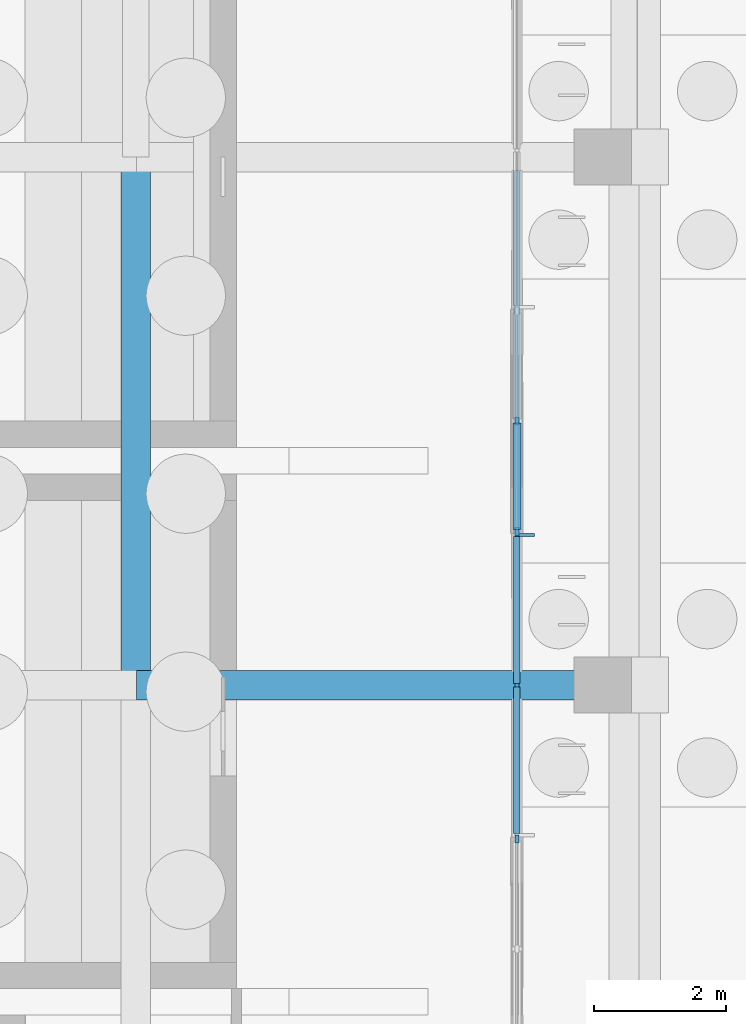
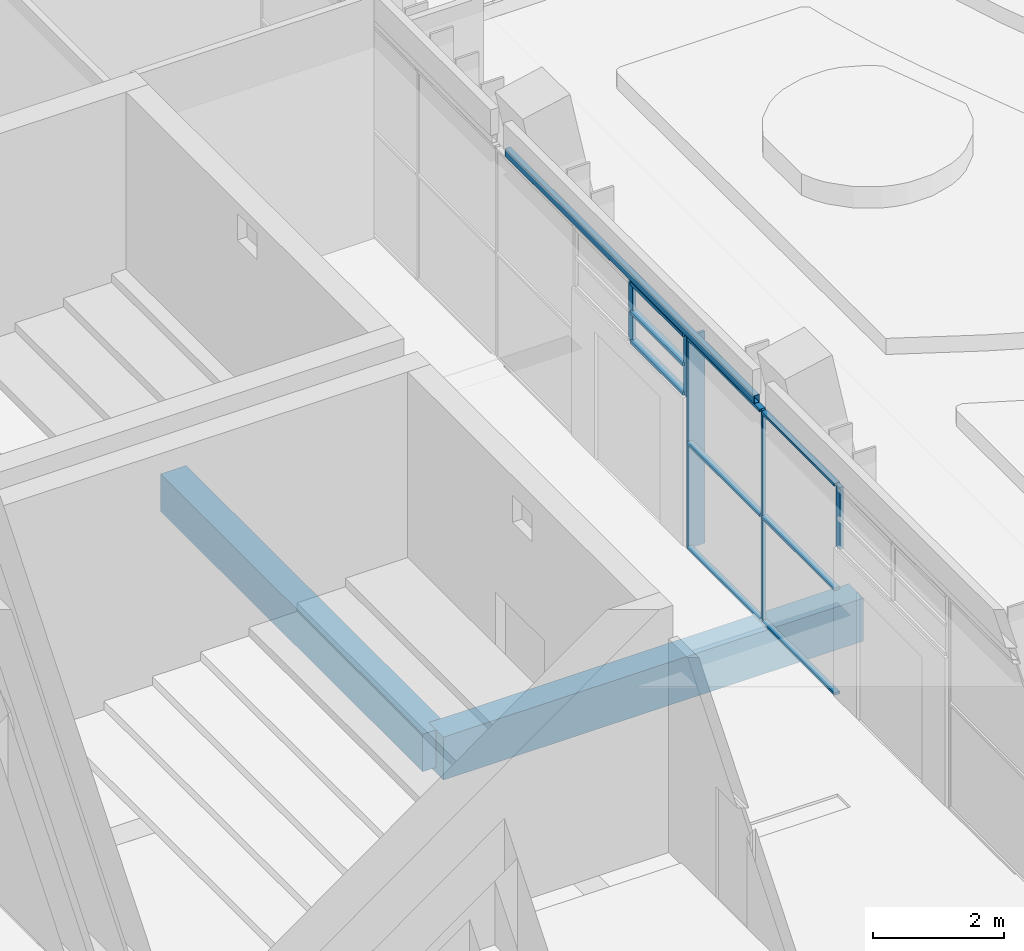
# One storey, part 49 of 144: 14 members, 3 beams, 3 elements without a shape of their own.
"""IFC4 building model written with IfcOpenShell, lengths in metres."""

from ifc_helpers import new_model, si_unit, direction, frame, origin, origin_2d, place, context, subcontext, project, spatial, rectangle, hollow_rectangle, extrude, material, material_profile, profile_set, type_object, element, aggregate, save


model = new_model("IFC4")

# Units and contexts
model_context = context("Model", 3, precision=1e-05, world=origin(), true_north=direction((0.0, 1.0)))
body_context = subcontext(model_context, "Body", "Model", "MODEL_VIEW")
ifc_project = project(units=[si_unit("LENGTHUNIT", "METRE"), si_unit("AREAUNIT", "SQUARE_METRE"), si_unit("VOLUMEUNIT", "CUBIC_METRE"), si_unit("PLANEANGLEUNIT", "RADIAN"), si_unit("MASSUNIT", "GRAM", prefix="KILO")], contexts=[model_context])

# Site, building, storey
site_placement = place(None, origin())
site = spatial("IfcSite", under=ifc_project, at=site_placement, CompositionType="ELEMENT")
building_placement = place(site_placement, origin())
building = spatial("IfcBuilding", under=site, at=building_placement, Name="Lantern Court Media Centre", CompositionType="ELEMENT")
storey_placement = place(building_placement, origin())
storey = spatial("IfcBuildingStorey", under=building, at=storey_placement, Name="L00", CompositionType="ELEMENT", Elevation=0.0)

# Curtain wall, members
ifc_material_1 = material(Name="Curtain wall bay 2400")
curtain_wall_type_1 = type_object("IfcCurtainWallType", Name="Curtain wall bay 2400", PredefinedType="NOTDEFINED", material=ifc_material_1)
curtain_wall_1_placement = place(storey_placement, origin())
curtain_wall_1 = element("IfcCurtainWall", 1, at=curtain_wall_1_placement, inside=storey, type_object=curtain_wall_type_1, Name="Curtain wall W inner L00", PredefinedType="NOTDEFINED")
ifc_material_2 = material(Name="Anodised aluminium", Category="aluminium")
ifc_material_profile_1 = material_profile(ifc_material_2, rectangle(XDim=0.300048828125, YDim=0.050048828125, at=origin_2d()), Name="AL 50x300")
ifc_profile_set_1 = profile_set([ifc_material_profile_1], Name="Anodised aluminium")
member_type_1 = type_object("IfcMemberType", Name="Curtain wall mullion 50x300", PredefinedType="MULLION", material=ifc_profile_set_1)
member_1_placement = place(storey_placement, frame((21.969970703125, 82.27490234375, 0.0), z_axis=(0.0, 0.0, 1.0), x_axis=(-1.0, 0.0, 0.0)))
member_1 = element("IfcMember", 2, at=member_1_placement, type_object=member_type_1, Name="CW2 mullion 3", PredefinedType="MULLION", context=body_context, shape_type="SweptSolid", body=[
    extrude(rectangle(XDim=0.300048828125, YDim=0.050048828125, at=origin_2d()), origin(), (0.0, 0.0, 1.0), 3.949951171875),
])
ifc_material_profile_2 = material_profile(ifc_material_2, rectangle(XDim=0.06005859375, YDim=0.050048828125, at=origin_2d()), Name="AL 50x60")
ifc_profile_set_2 = profile_set([ifc_material_profile_2], Name="Anodised aluminium")
member_type_2 = type_object("IfcMemberType", Name="Curtain wall mullion 50x60", PredefinedType="MULLION", material=ifc_profile_set_2)
member_2_placement = place(storey_placement, frame((21.85009765625, 80.0, 0.0), z_axis=(0.0, 0.0, 1.0), x_axis=(-1.0, 0.0, 0.0)))
member_2 = element("IfcMember", 3, at=member_2_placement, type_object=member_type_2, Name="CW2 mullion 2", PredefinedType="MULLION", context=body_context, shape_type="SweptSolid", body=[
    extrude(rectangle(XDim=0.06005859375, YDim=0.050048828125, at=origin_2d()), origin(), (0.0, 0.0, 1.0), 3.949951171875),
])

# Curtain wall, member
ifc_material_3 = material(Name="Curtain wall bay 1700")
curtain_wall_type_2 = type_object("IfcCurtainWallType", Name="Curtain wall bay 1700", PredefinedType="NOTDEFINED", material=ifc_material_3)
curtain_wall_2_placement = place(storey_placement, origin())
curtain_wall_2 = element("IfcCurtainWall", 4, at=curtain_wall_2_placement, inside=storey, type_object=curtain_wall_type_2, Name="Curtain wall W inner L00", PredefinedType="NOTDEFINED")
ifc_material_profile_3 = material_profile(ifc_material_2, rectangle(XDim=0.06005859375, YDim=0.1201171875, at=origin_2d()), Name="AL 60x120")
ifc_profile_set_3 = profile_set([ifc_material_profile_3], Name="Anodised aluminium")
member_type_3 = type_object("IfcMemberType", Name="Curtain wall mullion 60x120", PredefinedType="MULLION", material=ifc_profile_set_3)
member_3_placement = place(storey_placement, frame((21.85009765625, 77.669921875, 2.800048828125), z_axis=(0.0, 0.0, 1.0), x_axis=(-1.0, 0.0, 0.0)))
member_3 = element("IfcMember", 5, at=member_3_placement, type_object=member_type_3, Name="CW4 mullion 3", PredefinedType="MULLION", context=body_context, shape_type="SweptSolid", body=[
    extrude(rectangle(XDim=0.06005859375, YDim=0.1201171875, at=origin_2d()), origin(), (0.0, 0.0, 1.0), 1.14990234375),
])
aggregate(curtain_wall_2, [member_3])

# Curtain wall, members
curtain_wall_3_placement = place(storey_placement, origin())
curtain_wall_3 = element("IfcCurtainWall", 6, at=curtain_wall_3_placement, inside=storey, type_object=curtain_wall_type_2, Name="Curtain wall W inner L00", PredefinedType="NOTDEFINED")
member_4_placement = place(storey_placement, frame((21.85009765625, 82.330078125, 2.800048828125), z_axis=(0.0, 0.0, 1.0), x_axis=(-1.0, 0.0, 0.0)))
member_4 = element("IfcMember", 7, at=member_4_placement, type_object=member_type_3, Name="CW4 mullion 1", PredefinedType="MULLION", context=body_context, shape_type="SweptSolid", body=[
    extrude(rectangle(XDim=0.06005859375, YDim=0.1201171875, at=origin_2d()), origin(), (0.0, 0.0, 1.0), 1.14990234375),
])
member_5_placement = place(storey_placement, frame((21.85009765625, 84.0, 2.800048828125), z_axis=(0.0, 0.0, 1.0), x_axis=(-1.0, 0.0, 0.0)))
member_5 = element("IfcMember", 8, at=member_5_placement, type_object=member_type_3, Name="CW4 mullion 2", PredefinedType="MULLION", context=body_context, shape_type="SweptSolid", body=[
    extrude(rectangle(XDim=0.06005859375, YDim=0.1201171875, at=origin_2d()), origin(), (0.0, 0.0, 1.0), 1.14990234375),
])

# Member
ifc_material_profile_4 = material_profile(ifc_material_2, rectangle(XDim=0.10009765625, YDim=0.050048828125, at=origin_2d()), Name="AL 50x100")
ifc_profile_set_4 = profile_set([ifc_material_profile_4], Name="Anodised aluminium")
member_type_4 = type_object("IfcMemberType", Name="Curtain wall transom 100x50", PredefinedType="USERDEFINED", material=ifc_profile_set_4)
member_6_placement = place(storey_placement, frame((21.85009765625, 77.75, 0.02490234375), z_axis=(0.0, 1.0, 0.0), x_axis=(-1.0, 0.0, 0.0)))
member_6 = element("IfcMember", 9, at=member_6_placement, type_object=member_type_4, Name="CW2 transom 1.1", ObjectType="TRANSOM", PredefinedType="USERDEFINED", context=body_context, shape_type="SweptSolid", body=[
    extrude(rectangle(XDim=0.10009765625, YDim=0.050048828125, at=origin_2d()), origin(), (0.0, 0.0, 1.0), 2.22509765625),
])

member_7_placement = place(storey_placement, frame((21.85009765625, 77.75, 1.97509765625), z_axis=(0.0, 1.0, 0.0), x_axis=(-1.0, 0.0, 0.0)))
member_7 = element("IfcMember", 10, at=member_7_placement, type_object=member_type_4, Name="CW2 transom 1.2", ObjectType="TRANSOM", PredefinedType="USERDEFINED", context=body_context, shape_type="SweptSolid", body=[
    extrude(rectangle(XDim=0.10009765625, YDim=0.050048828125, at=origin_2d()), origin(), (0.0, 0.0, 1.0), 2.22509765625),
])

member_8_placement = place(storey_placement, frame((21.85009765625, 77.75, 3.925048828125), z_axis=(0.0, 1.0, 0.0), x_axis=(-1.0, 0.0, 0.0)))
member_8 = element("IfcMember", 11, at=member_8_placement, type_object=member_type_4, Name="CW2 transom 1.3", ObjectType="TRANSOM", PredefinedType="USERDEFINED", context=body_context, shape_type="SweptSolid", body=[
    extrude(rectangle(XDim=0.10009765625, YDim=0.050048828125, at=origin_2d()), origin(), (0.0, 0.0, 1.0), 2.22509765625),
])

member_9_placement = place(storey_placement, frame((21.85009765625, 80.02490234375, 0.02490234375), z_axis=(0.0, 1.0, 0.0), x_axis=(-1.0, 0.0, 0.0)))
member_9 = element("IfcMember", 12, at=member_9_placement, type_object=member_type_4, Name="CW2 transom 2.1", ObjectType="TRANSOM", PredefinedType="USERDEFINED", context=body_context, shape_type="SweptSolid", body=[
    extrude(rectangle(XDim=0.10009765625, YDim=0.050048828125, at=origin_2d()), origin(), (0.0, 0.0, 1.0), 2.22509765625),
])

member_10_placement = place(storey_placement, frame((21.85009765625, 80.02490234375, 1.97509765625), z_axis=(0.0, 1.0, 0.0), x_axis=(-1.0, 0.0, 0.0)))
member_10 = element("IfcMember", 13, at=member_10_placement, type_object=member_type_4, Name="CW2 transom 2.2", ObjectType="TRANSOM", PredefinedType="USERDEFINED", context=body_context, shape_type="SweptSolid", body=[
    extrude(rectangle(XDim=0.10009765625, YDim=0.050048828125, at=origin_2d()), origin(), (0.0, 0.0, 1.0), 2.22509765625),
])

member_11_placement = place(storey_placement, frame((21.85009765625, 80.02490234375, 3.925048828125), z_axis=(0.0, 1.0, 0.0), x_axis=(-1.0, 0.0, 0.0)))
member_11 = element("IfcMember", 14, at=member_11_placement, type_object=member_type_4, Name="CW2 transom 2.3", ObjectType="TRANSOM", PredefinedType="USERDEFINED", context=body_context, shape_type="SweptSolid", body=[
    extrude(rectangle(XDim=0.10009765625, YDim=0.050048828125, at=origin_2d()), origin(), (0.0, 0.0, 1.0), 2.22509765625),
])

aggregate(curtain_wall_1, [member_2, member_1, member_6, member_7, member_8, member_9, member_10, member_11])

ifc_material_profile_5 = material_profile(ifc_material_2, rectangle(XDim=0.1201171875, YDim=0.06005859375, at=origin_2d()), Name="AL 60x120")
ifc_profile_set_5 = profile_set([ifc_material_profile_5], Name="Anodised aluminium")
member_type_5 = type_object("IfcMemberType", Name="Curtain wall transom 60x120", PredefinedType="USERDEFINED", material=ifc_profile_set_5)
member_12_placement = place(storey_placement, frame((21.85009765625, 82.360107421875, 2.830078125), z_axis=(0.0, 1.0, 0.0), x_axis=(-1.0, 0.0, 0.0)))
member_12 = element("IfcMember", 15, at=member_12_placement, type_object=member_type_5, Name="CW4 transom 1.1", ObjectType="TRANSOM", PredefinedType="USERDEFINED", context=body_context, shape_type="SweptSolid", body=[
    extrude(rectangle(XDim=0.1201171875, YDim=0.06005859375, at=origin_2d()), origin(), (0.0, 0.0, 1.0), 1.60986328125),
])

member_13_placement = place(storey_placement, frame((21.85009765625, 82.360107421875, 3.375), z_axis=(0.0, 1.0, 0.0), x_axis=(-1.0, 0.0, 0.0)))
member_13 = element("IfcMember", 16, at=member_13_placement, type_object=member_type_5, Name="CW4 transom 1.2", ObjectType="TRANSOM", PredefinedType="USERDEFINED", context=body_context, shape_type="SweptSolid", body=[
    extrude(rectangle(XDim=0.1201171875, YDim=0.06005859375, at=origin_2d()), origin(), (0.0, 0.0, 1.0), 1.60986328125),
])

member_14_placement = place(storey_placement, frame((21.85009765625, 82.360107421875, 3.919921875), z_axis=(0.0, 1.0, 0.0), x_axis=(-1.0, 0.0, 0.0)))
member_14 = element("IfcMember", 17, at=member_14_placement, type_object=member_type_5, Name="CW4 transom 1.3", ObjectType="TRANSOM", PredefinedType="USERDEFINED", context=body_context, shape_type="SweptSolid", body=[
    extrude(rectangle(XDim=0.1201171875, YDim=0.06005859375, at=origin_2d()), origin(), (0.0, 0.0, 1.0), 1.60986328125),
])

aggregate(curtain_wall_3, [member_4, member_5, member_12, member_13, member_14])

# Beams
ifc_material_4 = material(Name="Steel S355J2 (EN 10025-2)", Category="steel")
ifc_material_profile_6 = material_profile(ifc_material_4, hollow_rectangle(XDim=0.10009765625, YDim=0.14990234375, WallThickness=0.00634765625, InnerFilletRadius=0.00634765625, OuterFilletRadius=0.009521484375, at=origin_2d()), Name="Facade head lintel RHS 150x100x6.3")
ifc_profile_set_6 = profile_set([ifc_material_profile_6], Name="Steel S355J2 (EN 10025-2)")
beam_type_1 = type_object("IfcBeamType", Name="Facade head lintel RHS 150x100x6.3", PredefinedType="BEAM", material=ifc_profile_set_6)
beam_1_placement = place(storey_placement, frame((21.85009765625, 80.199951171875, 4.02490234375), z_axis=(0.0, 1.0, 0.0), x_axis=(-1.0, 0.0, 0.0)))
element("IfcBeam", 18, at=beam_1_placement, inside=storey, type_object=beam_type_1, Name="Facade head lintel W L00", PredefinedType="BEAM", context=body_context, shape_type="SweptSolid", body=[
    extrude(hollow_rectangle(XDim=0.10009765625, YDim=0.14990234375, WallThickness=0.00634765625, InnerFilletRadius=0.00634765625, OuterFilletRadius=0.009521484375, at=origin_2d()), origin(), (0.0, 0.0, 1.0), 7.60009765625),
])
ifc_material_5 = material(Name="Concrete C35", Category="concrete")
ifc_material_profile_7 = material_profile(ifc_material_5, rectangle(XDim=0.449951171875, YDim=0.699951171875, at=origin_2d()), Name="RC 450x700")
ifc_profile_set_7 = profile_set([ifc_material_profile_7], Name="Concrete C35")
beam_type_2 = type_object("IfcBeamType", Name="RC BEAM 450x700", PredefinedType="BEAM", material=ifc_profile_set_7)
beam_2_placement = place(storey_placement, frame((16.072998046875, 80.0, -0.35009765625), z_axis=(0.0, 1.0, 0.0), x_axis=(-1.0, 0.0, 0.0)))
element("IfcBeam", 19, at=beam_2_placement, inside=storey, type_object=beam_type_2, Name="LB-W-L00-1-2", PredefinedType="BEAM", context=body_context, shape_type="SweptSolid", body=[
    extrude(rectangle(XDim=0.449951171875, YDim=0.699951171875, at=origin_2d()), origin(), (0.0, 0.0, 1.0), 8.0),
])
ifc_material_profile_8 = material_profile(ifc_material_5, rectangle(XDim=0.449951171875, YDim=0.800048828125, at=origin_2d()), Name="RC 450x800")
ifc_profile_set_8 = profile_set([ifc_material_profile_8], Name="Concrete C35")
beam_type_3 = type_object("IfcBeamType", Name="RC BEAM 450x800", PredefinedType="BEAM", material=ifc_profile_set_8)
beam_3_placement = place(storey_placement, frame((16.083251953125, 80.0, -0.39990234375), z_axis=(1.0, 0.0, 0.0), x_axis=(0.0, 1.0, 0.0)))
element("IfcBeam", 20, at=beam_3_placement, inside=storey, type_object=beam_type_3, Name="TB-W-L00-2-2", PredefinedType="BEAM", context=body_context, shape_type="SweptSolid", body=[
    extrude(rectangle(XDim=0.449951171875, YDim=0.800048828125, at=origin_2d()), origin(), (0.0, 0.0, 1.0), 7.400146484375),
])

save(model, "model.ifc")
